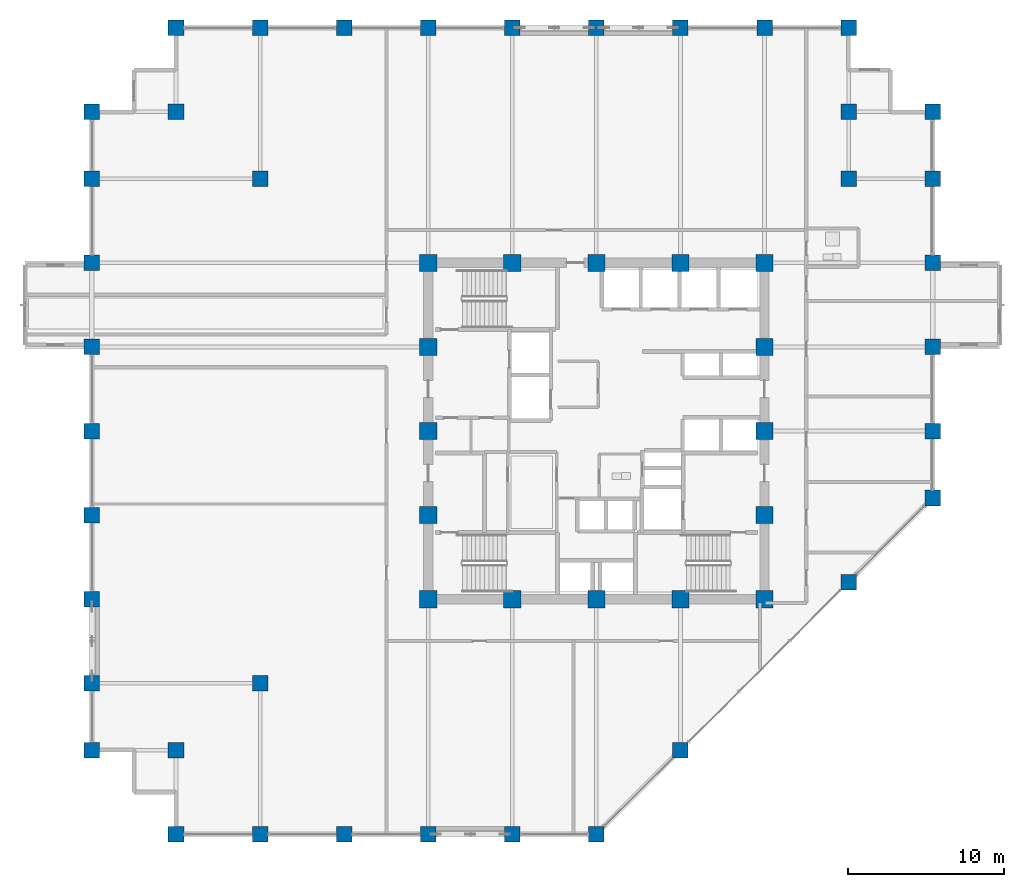
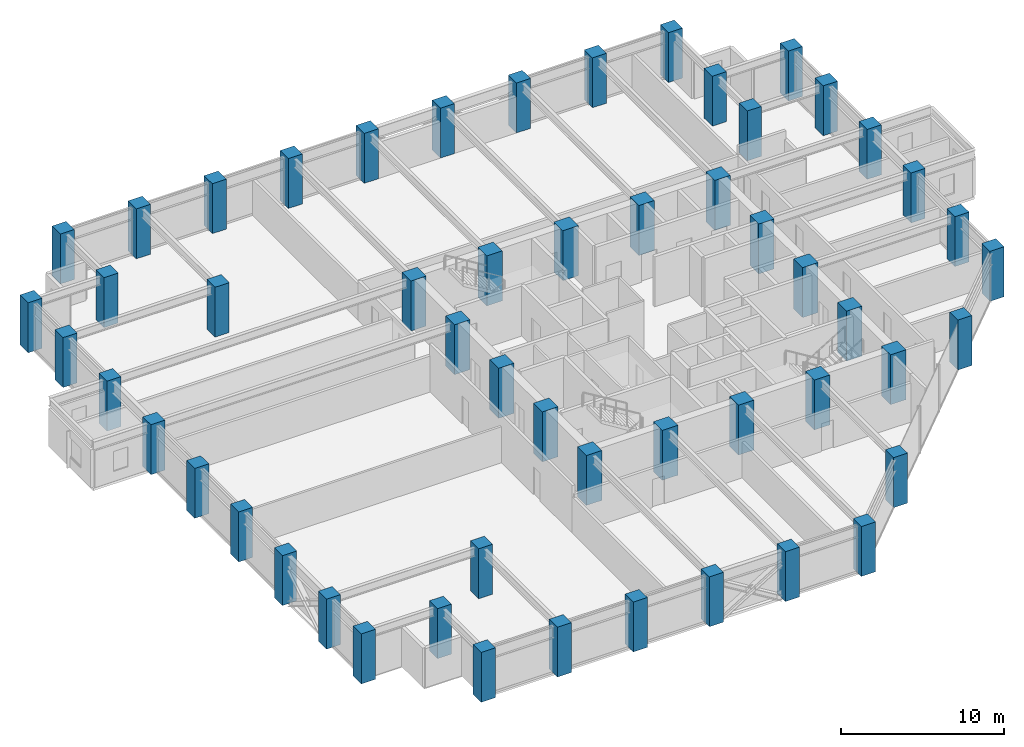
# One storey, part 1 of 29: 54 columns.
"""IFC4 building model written with IfcOpenShell, lengths in metres."""

from ifc_helpers import new_model, si_unit, direction, frame, origin, origin_2d, place, context, subcontext, project, spatial, rectangle, extrude, material, material_profile, profile_set, type_object, element, save


model = new_model("IFC4")

# Units and contexts
model_context = context("Model", 3, precision=1e-05, world=origin(), true_north=direction((0.0, 1.0)))
body_context = subcontext(model_context, "Body", "Model", "MODEL_VIEW")
ifc_project = project(units=[si_unit("LENGTHUNIT", "METRE"), si_unit("AREAUNIT", "SQUARE_METRE"), si_unit("VOLUMEUNIT", "CUBIC_METRE"), si_unit("PLANEANGLEUNIT", "RADIAN"), si_unit("MASSUNIT", "GRAM", prefix="KILO")], contexts=[model_context])

# Site, building, storey
site_placement = place(None, origin())
site = spatial("IfcSite", under=ifc_project, at=site_placement, CompositionType="ELEMENT")
building_placement = place(site_placement, origin())
building = spatial("IfcBuilding", under=site, at=building_placement, Name="Surkhivell Harbour Commons", CompositionType="ELEMENT")
storey_placement = place(building_placement, frame((0.0, 0.0, 154.5)))
storey = spatial("IfcBuildingStorey", under=building, at=storey_placement, Name="L40", CompositionType="ELEMENT", Elevation=154.5)

# Columns
ifc_material = material(Name="Concrete C60/75", Category="concrete")
ifc_material_profile_1 = material_profile(ifc_material, rectangle(XDim=1.10009765625, YDim=1.10009765625, at=origin_2d()), Name="RC-COL-1100x1100")
ifc_profile_set_1 = profile_set([ifc_material_profile_1], Name="Concrete C60/75")
column_type_1 = type_object("IfcColumnType", Name="COL-TUBE-Z2A", PredefinedType="COLUMN", material=ifc_profile_set_1)
for number, where, z_axis, x_axis, name in (
    (1, (-10.800048828125, -10.800048828125, 0.0), (0.0, 0.0, 1.0), (1.0, 0.0, 0.0), "L40 Column CT-2A (-10.8,-10.8)"),
    (2, (-10.800048828125, -5.39990234375, 0.0), (0.0, 0.0, 1.0), (1.0, 0.0, 0.0), "L40 Column CT-2A (-10.8,-5.4)"),
    (3, (-10.800048828125, 0.0, 0.0), (0.0, 0.0, 1.0), (1.0, 0.0, 0.0), "L40 Column CT-2A (-10.8,0.0)"),
    (4, (-10.800048828125, 5.39990234375, 0.0), (0.0, 0.0, 1.0), (1.0, 0.0, 0.0), "L40 Column CT-2A (-10.8,5.4)"),
    (5, (-10.800048828125, 10.800048828125, 0.0), (0.0, 0.0, 1.0), (1.0, 0.0, 0.0), "L40 Column CT-2A (-10.8,10.8)"),
    (6, (-5.39990234375, -10.800048828125, 0.0), (0.0, 0.0, 1.0), (1.0, 0.0, 0.0), "L40 Column CT-2A (-5.4,-10.8)"),
    (7, (-5.39990234375, 10.800048828125, 0.0), (0.0, 0.0, 1.0), (1.0, 0.0, 0.0), "L40 Column CT-2A (-5.4,10.8)"),
    (8, (0.0, -10.800048828125, 0.0), (0.0, 0.0, 1.0), (1.0, 0.0, 0.0), "L40 Column CT-2A (0.0,-10.8)"),
    (9, (0.0, 10.800048828125, 0.0), (0.0, 0.0, 1.0), (1.0, 0.0, 0.0), "L40 Column CT-2A (0.0,10.8)"),
    (10, (5.39990234375, -10.800048828125, 0.0), (0.0, 0.0, 1.0), (1.0, 0.0, 0.0), "L40 Column CT-2A (5.4,-10.8)"),
    (11, (5.39990234375, 10.800048828125, 0.0), (0.0, 0.0, 1.0), (1.0, 0.0, 0.0), "L40 Column CT-2A (5.4,10.8)"),
    (12, (10.800048828125, -10.800048828125, 0.0), (0.0, 0.0, 1.0), (1.0, 0.0, 0.0), "L40 Column CT-2A (10.8,-10.8)"),
    (13, (10.800048828125, -5.39990234375, 0.0), (0.0, 0.0, 1.0), (1.0, 0.0, 0.0), "L40 Column CT-2A (10.8,-5.4)"),
    (14, (10.800048828125, 0.0, 0.0), (0.0, 0.0, 1.0), (1.0, 0.0, 0.0), "L40 Column CT-2A (10.8,0.0)"),
    (15, (10.800048828125, 5.39990234375, 0.0), (0.0, 0.0, 1.0), (1.0, 0.0, 0.0), "L40 Column CT-2A (10.8,5.4)"),
    (16, (10.800048828125, 10.800048828125, 0.0), (0.0, 0.0, 1.0), (1.0, 0.0, 0.0), "L40 Column CT-2A (10.8,10.8)"),
):
    element("IfcColumn", number, at=place(storey_placement, frame(where, z_axis=z_axis, x_axis=x_axis)), inside=storey, type_object=column_type_1, Name=name, PredefinedType="COLUMN", context=body_context, shape_type="SweptSolid", body=[
        extrude(rectangle(XDim=1.10009765625, YDim=1.10009765625, at=origin_2d()), origin(), (0.0, 0.0, 1.0), 3.75),
    ])
ifc_material_profile_2 = material_profile(ifc_material, rectangle(XDim=1.0, YDim=1.0, at=origin_2d()), Name="RC-COL-1000x1000")
ifc_profile_set_2 = profile_set([ifc_material_profile_2], Name="Concrete C60/75")
column_type_2 = type_object("IfcColumnType", Name="COL-TUBE-Z2B", PredefinedType="COLUMN", material=ifc_profile_set_2)
for number, where, z_axis, x_axis, name in (
    (17, (-32.39990234375, -20.5, 0.0), (0.0, 0.0, 1.0), (1.0, 0.0, 0.0), "L40 Column CT-2B (-32.4,-20.5)"),
    (18, (-32.39990234375, -16.199951171875, 0.0), (0.0, 0.0, 1.0), (1.0, 0.0, 0.0), "L40 Column CT-2B (-32.4,-16.2)"),
    (19, (-32.39990234375, -10.800048828125, 0.0), (0.0, 0.0, 1.0), (1.0, 0.0, 0.0), "L40 Column CT-2B (-32.4,-10.8)"),
    (20, (-32.39990234375, -5.39990234375, 0.0), (0.0, 0.0, 1.0), (1.0, 0.0, 0.0), "L40 Column CT-2B (-32.4,-5.4)"),
    (21, (-32.39990234375, 0.0, 0.0), (0.0, 0.0, 1.0), (1.0, 0.0, 0.0), "L40 Column CT-2B (-32.4,0.0)"),
    (22, (-32.39990234375, 5.39990234375, 0.0), (0.0, 0.0, 1.0), (1.0, 0.0, 0.0), "L40 Column CT-2B (-32.4,5.4)"),
    (23, (-32.39990234375, 10.800048828125, 0.0), (0.0, 0.0, 1.0), (1.0, 0.0, 0.0), "L40 Column CT-2B (-32.4,10.8)"),
    (24, (-32.39990234375, 16.199951171875, 0.0), (0.0, 0.0, 1.0), (1.0, 0.0, 0.0), "L40 Column CT-2B (-32.4,16.2)"),
    (25, (-32.39990234375, 20.5, 0.0), (0.0, 0.0, 1.0), (1.0, 0.0, 0.0), "L40 Column CT-2B (-32.4,20.5)"),
    (26, (-27.0, -25.89990234375, 0.0), (0.0, 0.0, 1.0), (1.0, 0.0, 0.0), "L40 Column CT-2B (-27.0,-25.9)"),
    (27, (-27.0, -20.5, 0.0), (0.0, 0.0, 1.0), (1.0, 0.0, 0.0), "L40 Column CT-2B (-27.0,-20.5)"),
    (28, (-27.0, 20.5, 0.0), (0.0, 0.0, 1.0), (1.0, 0.0, 0.0), "L40 Column CT-2B (-27.0,20.5)"),
    (29, (-27.0, 25.89990234375, 0.0), (0.0, 0.0, 1.0), (1.0, 0.0, 0.0), "L40 Column CT-2B (-27.0,25.9)"),
    (30, (-21.60009765625, -25.89990234375, 0.0), (0.0, 0.0, 1.0), (1.0, 0.0, 0.0), "L40 Column CT-2B (-21.6,-25.9)"),
    (31, (-21.60009765625, -16.199951171875, 0.0), (0.0, 0.0, 1.0), (1.0, 0.0, 0.0), "L40 Column CT-2B (-21.6,-16.2)"),
    (32, (-21.60009765625, 16.199951171875, 0.0), (0.0, 0.0, 1.0), (1.0, 0.0, 0.0), "L40 Column CT-2B (-21.6,16.2)"),
    (33, (-21.60009765625, 25.89990234375, 0.0), (0.0, 0.0, 1.0), (1.0, 0.0, 0.0), "L40 Column CT-2B (-21.6,25.9)"),
    (34, (-16.199951171875, -25.89990234375, 0.0), (0.0, 0.0, 1.0), (1.0, 0.0, 0.0), "L40 Column CT-2B (-16.2,-25.9)"),
    (35, (-16.199951171875, 25.89990234375, 0.0), (0.0, 0.0, 1.0), (1.0, 0.0, 0.0), "L40 Column CT-2B (-16.2,25.9)"),
    (36, (-10.800048828125, -25.89990234375, 0.0), (0.0, 0.0, 1.0), (1.0, 0.0, 0.0), "L40 Column CT-2B (-10.8,-25.9)"),
    (37, (-10.800048828125, 25.89990234375, 0.0), (0.0, 0.0, 1.0), (1.0, 0.0, 0.0), "L40 Column CT-2B (-10.8,25.9)"),
    (38, (-5.39990234375, -25.89990234375, 0.0), (0.0, 0.0, 1.0), (1.0, 0.0, 0.0), "L40 Column CT-2B (-5.4,-25.9)"),
    (39, (-5.39990234375, 25.89990234375, 0.0), (0.0, 0.0, 1.0), (1.0, 0.0, 0.0), "L40 Column CT-2B (-5.4,25.9)"),
    (40, (0.0, -25.89990234375, 0.0), (0.0, 0.0, 1.0), (1.0, 0.0, 0.0), "L40 Column CT-2B (-0.0,-25.9)"),
    (41, (0.0, 25.89990234375, 0.0), (0.0, 0.0, 1.0), (1.0, 0.0, 0.0), "L40 Column CT-2B (-0.0,25.9)"),
    (42, (5.39990234375, -20.5, 0.0), (0.0, 0.0, 1.0), (1.0, 0.0, 0.0), "L40 Column CT-2B (5.4,-20.5)"),
    (43, (5.39990234375, 25.89990234375, 0.0), (0.0, 0.0, 1.0), (1.0, 0.0, 0.0), "L40 Column CT-2B (5.4,25.9)"),
    (44, (10.800048828125, 25.89990234375, 0.0), (0.0, 0.0, 1.0), (1.0, 0.0, 0.0), "L40 Column CT-2B (10.8,25.9)"),
    (45, (16.199951171875, -9.699951171875, 0.0), (0.0, 0.0, 1.0), (1.0, 0.0, 0.0), "L40 Column CT-2B (16.2,-9.7)"),
    (46, (16.199951171875, 16.199951171875, 0.0), (0.0, 0.0, 1.0), (1.0, 0.0, 0.0), "L40 Column CT-2B (16.2,16.2)"),
    (47, (16.199951171875, 20.5, 0.0), (0.0, 0.0, 1.0), (1.0, 0.0, 0.0), "L40 Column CT-2B (16.2,20.5)"),
    (48, (16.199951171875, 25.89990234375, 0.0), (0.0, 0.0, 1.0), (1.0, 0.0, 0.0), "L40 Column CT-2B (16.2,25.9)"),
    (49, (21.60009765625, -4.300048828125, 0.0), (0.0, 0.0, 1.0), (1.0, 0.0, 0.0), "L40 Column CT-2B (21.6,-4.3)"),
    (50, (21.60009765625, 0.0, 0.0), (0.0, 0.0, 1.0), (1.0, 0.0, 0.0), "L40 Column CT-2B (21.6,0.0)"),
    (51, (21.60009765625, 5.39990234375, 0.0), (0.0, 0.0, 1.0), (1.0, 0.0, 0.0), "L40 Column CT-2B (21.6,5.4)"),
    (52, (21.60009765625, 10.800048828125, 0.0), (0.0, 0.0, 1.0), (1.0, 0.0, 0.0), "L40 Column CT-2B (21.6,10.8)"),
    (53, (21.60009765625, 16.199951171875, 0.0), (0.0, 0.0, 1.0), (1.0, 0.0, 0.0), "L40 Column CT-2B (21.6,16.2)"),
    (54, (21.60009765625, 20.5, 0.0), (0.0, 0.0, 1.0), (1.0, 0.0, 0.0), "L40 Column CT-2B (21.6,20.5)"),
):
    element("IfcColumn", number, at=place(storey_placement, frame(where, z_axis=z_axis, x_axis=x_axis)), inside=storey, type_object=column_type_2, Name=name, PredefinedType="COLUMN", context=body_context, shape_type="SweptSolid", body=[
        extrude(rectangle(XDim=1.0, YDim=1.0, at=origin_2d()), origin(), (0.0, 0.0, 1.0), 3.75),
    ])

save(model, "model.ifc")
